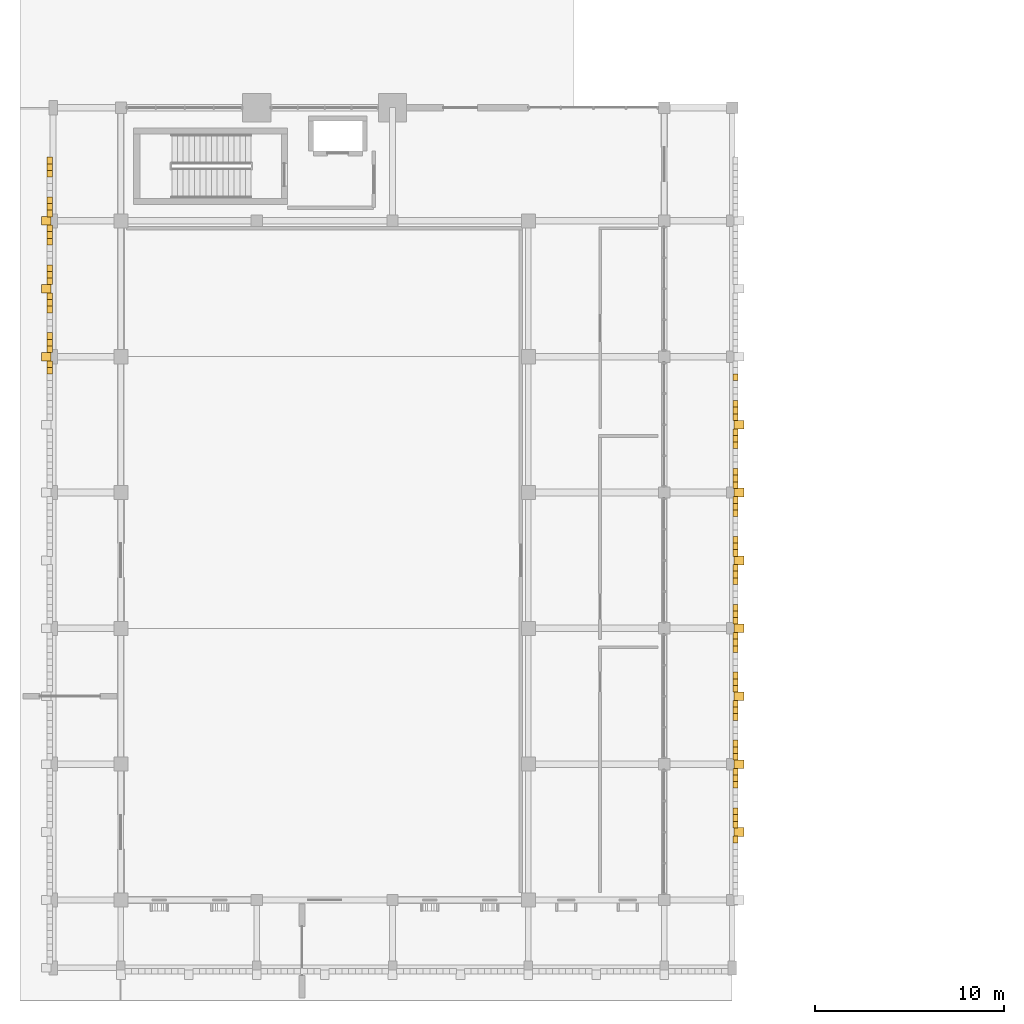
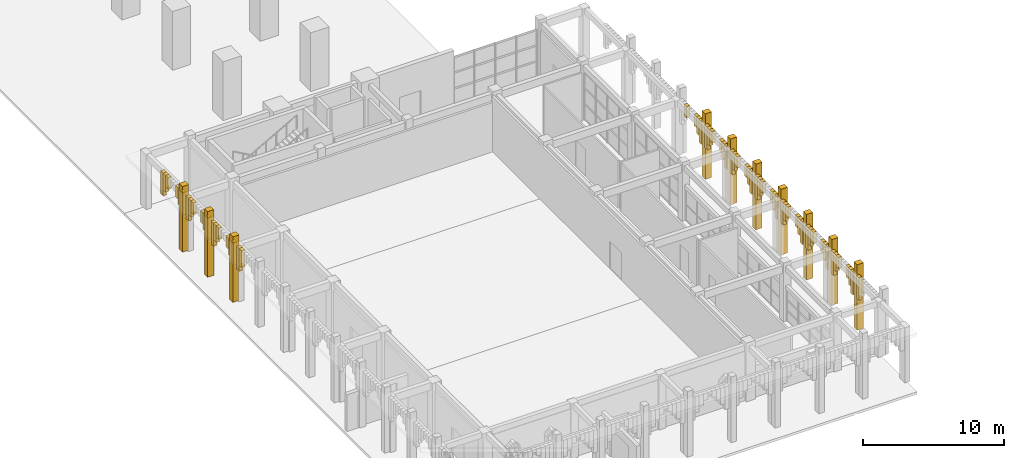
# One storey, part 48 of 72: 71 coverings.
"""IFC4 building model written with IfcOpenShell, lengths in metres."""

from ifc_helpers import new_model, si_unit, direction, frame, origin, origin_2d, place, context, subcontext, project, spatial, rectangle, extrude, material, layer, layer_set, type_object, element, save


model = new_model("IFC4")

# Units and contexts
model_context = context("Model", 3, precision=1e-05, world=origin(), true_north=direction((0.0, 1.0)))
body_context = subcontext(model_context, "Body", "Model", "MODEL_VIEW")
ifc_project = project(units=[si_unit("LENGTHUNIT", "METRE"), si_unit("AREAUNIT", "SQUARE_METRE"), si_unit("VOLUMEUNIT", "CUBIC_METRE"), si_unit("PLANEANGLEUNIT", "RADIAN"), si_unit("MASSUNIT", "GRAM", prefix="KILO")], contexts=[model_context])

# Site, building, storey
site_placement = place(None, origin())
site = spatial("IfcSite", under=ifc_project, at=site_placement, CompositionType="ELEMENT")
building_placement = place(site_placement, origin())
building = spatial("IfcBuilding", under=site, at=building_placement, Name="Nzembalo Square Collegiate School", CompositionType="ELEMENT")
storey_placement = place(building_placement, origin())
storey = spatial("IfcBuildingStorey", under=building, at=storey_placement, Name="L00", CompositionType="ELEMENT", Elevation=0.0)

# Coverings
ifc_material = material(Name="Precast concrete C40/50 arch voussoir", Category="concrete")
ifc_layer = layer(ifc_material, 0.1201171875, Name="Precast concrete C40/50 arch voussoir")
ifc_layer_set = layer_set([ifc_layer], Name="Precast concrete C40/50 arch voussoir")
covering_type = type_object("IfcCoveringType", Name="AR01", PredefinedType="CLADDING", material=ifc_layer_set)
covering_1_placement = place(storey_placement, frame((4.6201171875, 36.453369140625, 3.361328125), z_axis=(0.0, 0.0, 1.0), x_axis=(1.0, 0.0, 0.0)))
element("IfcCovering", 1, at=covering_1_placement, inside=storey, type_object=covering_type, Name="Gothic pointed arch voussoir AR01-009-7", PredefinedType="CLADDING", context=body_context, shape_type="SweptSolid", body=[
    extrude(rectangle(XDim=0.280029296875, YDim=0.35107421875, at=origin_2d()), origin(), (0.0, 0.0, 1.0), 1.438720703125),
])
covering_2_placement = place(storey_placement, frame((4.6201171875, 36.804443359375, 2.80859375), z_axis=(0.0, 0.0, 1.0), x_axis=(1.0, 0.0, 0.0)))
element("IfcCovering", 2, at=covering_2_placement, inside=storey, type_object=covering_type, Name="Gothic pointed arch voussoir AR01-009-8", PredefinedType="CLADDING", context=body_context, shape_type="SweptSolid", body=[
    extrude(rectangle(XDim=0.280029296875, YDim=0.35107421875, at=origin_2d()), origin(), (0.0, 0.0, 1.0), 1.991455078125),
])
covering_3_placement = place(storey_placement, frame((4.6201171875, 37.595703125, 2.808349609375), z_axis=(0.0, 0.0, 1.0), x_axis=(1.0, 0.0, 0.0)))
element("IfcCovering", 3, at=covering_3_placement, inside=storey, type_object=covering_type, Name="Gothic pointed arch voussoir AR01-010-0", PredefinedType="CLADDING", context=body_context, shape_type="SweptSolid", body=[
    extrude(rectangle(XDim=0.280029296875, YDim=0.35107421875, at=origin_2d()), origin(), (0.0, 0.0, 1.0), 1.99169921875),
])
covering_4_placement = place(storey_placement, frame((4.6201171875, 37.94677734375, 3.361083984375), z_axis=(0.0, 0.0, 1.0), x_axis=(1.0, 0.0, 0.0)))
element("IfcCovering", 4, at=covering_4_placement, inside=storey, type_object=covering_type, Name="Gothic pointed arch voussoir AR01-010-1", PredefinedType="CLADDING", context=body_context, shape_type="SweptSolid", body=[
    extrude(rectangle(XDim=0.280029296875, YDim=0.35107421875, at=origin_2d()), origin(), (0.0, 0.0, 1.0), 1.43896484375),
])
for number, where, z_axis, x_axis, name in (
    (5, (4.6201171875, 38.2978515625, 3.810546875), (0.0, 0.0, 1.0), (1.0, 0.0, 0.0), "Gothic pointed arch voussoir AR01-010-2"),
    (6, (4.6201171875, 39.7021484375, 3.810546875), (0.0, 0.0, 1.0), (1.0, 0.0, 0.0), "Gothic pointed arch voussoir AR01-010-6"),
):
    element("IfcCovering", number, at=place(storey_placement, frame(where, z_axis=z_axis, x_axis=x_axis)), inside=storey, type_object=covering_type, Name=name, PredefinedType="CLADDING", context=body_context, shape_type="SweptSolid", body=[
        extrude(rectangle(XDim=0.280029296875, YDim=0.35107421875, at=origin_2d()), origin(), (0.0, 0.0, 1.0), 0.989501953125),
    ])
covering_5_placement = place(storey_placement, frame((4.6201171875, 40.05322265625, 3.361328125), z_axis=(0.0, 0.0, 1.0), x_axis=(1.0, 0.0, 0.0)))
element("IfcCovering", 7, at=covering_5_placement, inside=storey, type_object=covering_type, Name="Gothic pointed arch voussoir AR01-010-7", PredefinedType="CLADDING", context=body_context, shape_type="SweptSolid", body=[
    extrude(rectangle(XDim=0.280029296875, YDim=0.35107421875, at=origin_2d()), origin(), (0.0, 0.0, 1.0), 1.438720703125),
])
covering_6_placement = place(storey_placement, frame((4.6201171875, 40.404296875, 2.80859375), z_axis=(0.0, 0.0, 1.0), x_axis=(1.0, 0.0, 0.0)))
element("IfcCovering", 8, at=covering_6_placement, inside=storey, type_object=covering_type, Name="Gothic pointed arch voussoir AR01-010-8", PredefinedType="CLADDING", context=body_context, shape_type="SweptSolid", body=[
    extrude(rectangle(XDim=0.280029296875, YDim=0.35107421875, at=origin_2d()), origin(), (0.0, 0.0, 1.0), 1.991455078125),
])
covering_7_placement = place(storey_placement, frame((4.43994140625, 37.199951171875, 0.0), z_axis=(0.0, 0.0, 1.0), x_axis=(1.0, 0.0, 0.0)))
element("IfcCovering", 9, at=covering_7_placement, inside=storey, type_object=covering_type, Name="Gothic arcade buttress pinnacle AR01-B010", PredefinedType="CLADDING", context=body_context, shape_type="SweptSolid", body=[
    extrude(rectangle(XDim=0.52001953125, YDim=0.4599609375, at=origin_2d()), origin(), (0.0, 0.0, 1.0), 5.699951171875),
])
covering_8_placement = place(storey_placement, frame((4.6201171875, 41.195556640625, 2.808349609375), z_axis=(0.0, 0.0, 1.0), x_axis=(1.0, 0.0, 0.0)))
element("IfcCovering", 10, at=covering_8_placement, inside=storey, type_object=covering_type, Name="Gothic pointed arch voussoir AR01-011-0", PredefinedType="CLADDING", context=body_context, shape_type="SweptSolid", body=[
    extrude(rectangle(XDim=0.280029296875, YDim=0.35107421875, at=origin_2d()), origin(), (0.0, 0.0, 1.0), 1.99169921875),
])
covering_9_placement = place(storey_placement, frame((4.6201171875, 41.546630859375, 3.361083984375), z_axis=(0.0, 0.0, 1.0), x_axis=(1.0, 0.0, 0.0)))
element("IfcCovering", 11, at=covering_9_placement, inside=storey, type_object=covering_type, Name="Gothic pointed arch voussoir AR01-011-1", PredefinedType="CLADDING", context=body_context, shape_type="SweptSolid", body=[
    extrude(rectangle(XDim=0.280029296875, YDim=0.35107421875, at=origin_2d()), origin(), (0.0, 0.0, 1.0), 1.43896484375),
])
for number, where, z_axis, x_axis, name in (
    (12, (4.6201171875, 41.897705078125, 3.810546875), (0.0, 0.0, 1.0), (1.0, 0.0, 0.0), "Gothic pointed arch voussoir AR01-011-2"),
    (13, (4.6201171875, 43.30224609375, 3.810546875), (0.0, 0.0, 1.0), (1.0, 0.0, 0.0), "Gothic pointed arch voussoir AR01-011-6"),
):
    element("IfcCovering", number, at=place(storey_placement, frame(where, z_axis=z_axis, x_axis=x_axis)), inside=storey, type_object=covering_type, Name=name, PredefinedType="CLADDING", context=body_context, shape_type="SweptSolid", body=[
        extrude(rectangle(XDim=0.280029296875, YDim=0.35107421875, at=origin_2d()), origin(), (0.0, 0.0, 1.0), 0.989501953125),
    ])
covering_10_placement = place(storey_placement, frame((4.6201171875, 43.6533203125, 3.361328125), z_axis=(0.0, 0.0, 1.0), x_axis=(1.0, 0.0, 0.0)))
element("IfcCovering", 14, at=covering_10_placement, inside=storey, type_object=covering_type, Name="Gothic pointed arch voussoir AR01-011-7", PredefinedType="CLADDING", context=body_context, shape_type="SweptSolid", body=[
    extrude(rectangle(XDim=0.280029296875, YDim=0.35107421875, at=origin_2d()), origin(), (0.0, 0.0, 1.0), 1.438720703125),
])
covering_11_placement = place(storey_placement, frame((4.6201171875, 44.00439453125, 2.80859375), z_axis=(0.0, 0.0, 1.0), x_axis=(1.0, 0.0, 0.0)))
element("IfcCovering", 15, at=covering_11_placement, inside=storey, type_object=covering_type, Name="Gothic pointed arch voussoir AR01-011-8", PredefinedType="CLADDING", context=body_context, shape_type="SweptSolid", body=[
    extrude(rectangle(XDim=0.280029296875, YDim=0.35107421875, at=origin_2d()), origin(), (0.0, 0.0, 1.0), 1.991455078125),
])
covering_12_placement = place(storey_placement, frame((4.43994140625, 40.800048828125, 0.0), z_axis=(0.0, 0.0, 1.0), x_axis=(1.0, 0.0, 0.0)))
element("IfcCovering", 16, at=covering_12_placement, inside=storey, type_object=covering_type, Name="Gothic arcade buttress pinnacle AR01-B011", PredefinedType="CLADDING", context=body_context, shape_type="SweptSolid", body=[
    extrude(rectangle(XDim=0.52001953125, YDim=0.4599609375, at=origin_2d()), origin(), (0.0, 0.0, 1.0), 5.699951171875),
])
covering_13_placement = place(storey_placement, frame((4.6201171875, 44.795654296875, 2.808349609375), z_axis=(0.0, 0.0, 1.0), x_axis=(1.0, 0.0, 0.0)))
element("IfcCovering", 17, at=covering_13_placement, inside=storey, type_object=covering_type, Name="Gothic pointed arch voussoir AR01-012-0", PredefinedType="CLADDING", context=body_context, shape_type="SweptSolid", body=[
    extrude(rectangle(XDim=0.280029296875, YDim=0.35107421875, at=origin_2d()), origin(), (0.0, 0.0, 1.0), 1.99169921875),
])
covering_14_placement = place(storey_placement, frame((4.6201171875, 45.146728515625, 3.361083984375), z_axis=(0.0, 0.0, 1.0), x_axis=(1.0, 0.0, 0.0)))
element("IfcCovering", 18, at=covering_14_placement, inside=storey, type_object=covering_type, Name="Gothic pointed arch voussoir AR01-012-1", PredefinedType="CLADDING", context=body_context, shape_type="SweptSolid", body=[
    extrude(rectangle(XDim=0.280029296875, YDim=0.35107421875, at=origin_2d()), origin(), (0.0, 0.0, 1.0), 1.43896484375),
])
for number, where, z_axis, x_axis, name in (
    (19, (4.6201171875, 45.497802734375, 3.810546875), (0.0, 0.0, 1.0), (1.0, 0.0, 0.0), "Gothic pointed arch voussoir AR01-012-2"),
    (20, (4.6201171875, 46.902099609375, 3.810546875), (0.0, 0.0, 1.0), (1.0, 0.0, 0.0), "Gothic pointed arch voussoir AR01-012-6"),
):
    element("IfcCovering", number, at=place(storey_placement, frame(where, z_axis=z_axis, x_axis=x_axis)), inside=storey, type_object=covering_type, Name=name, PredefinedType="CLADDING", context=body_context, shape_type="SweptSolid", body=[
        extrude(rectangle(XDim=0.280029296875, YDim=0.35107421875, at=origin_2d()), origin(), (0.0, 0.0, 1.0), 0.989501953125),
    ])
covering_15_placement = place(storey_placement, frame((4.6201171875, 47.25341796875, 3.361328125), z_axis=(0.0, 0.0, 1.0), x_axis=(1.0, 0.0, 0.0)))
element("IfcCovering", 21, at=covering_15_placement, inside=storey, type_object=covering_type, Name="Gothic pointed arch voussoir AR01-012-7", PredefinedType="CLADDING", context=body_context, shape_type="SweptSolid", body=[
    extrude(rectangle(XDim=0.280029296875, YDim=0.35107421875, at=origin_2d()), origin(), (0.0, 0.0, 1.0), 1.438720703125),
])
covering_16_placement = place(storey_placement, frame((4.6201171875, 47.6044921875, 2.80859375), z_axis=(0.0, 0.0, 1.0), x_axis=(1.0, 0.0, 0.0)))
element("IfcCovering", 22, at=covering_16_placement, inside=storey, type_object=covering_type, Name="Gothic pointed arch voussoir AR01-012-8", PredefinedType="CLADDING", context=body_context, shape_type="SweptSolid", body=[
    extrude(rectangle(XDim=0.280029296875, YDim=0.35107421875, at=origin_2d()), origin(), (0.0, 0.0, 1.0), 1.991455078125),
])
covering_17_placement = place(storey_placement, frame((4.43994140625, 44.39990234375, 0.0), z_axis=(0.0, 0.0, 1.0), x_axis=(1.0, 0.0, 0.0)))
element("IfcCovering", 23, at=covering_17_placement, inside=storey, type_object=covering_type, Name="Gothic arcade buttress pinnacle AR01-B012", PredefinedType="CLADDING", context=body_context, shape_type="SweptSolid", body=[
    extrude(rectangle(XDim=0.52001953125, YDim=0.4599609375, at=origin_2d()), origin(), (0.0, 0.0, 1.0), 5.699951171875),
])
covering_18_placement = place(storey_placement, frame((40.97998046875, 11.6044921875, 2.80859375), z_axis=(0.0, 0.0, 1.0), x_axis=(1.0, 0.0, 0.0)))
element("IfcCovering", 24, at=covering_18_placement, inside=storey, type_object=covering_type, Name="Gothic pointed arch voussoir AR01-031-8", PredefinedType="CLADDING", context=body_context, shape_type="SweptSolid", body=[
    extrude(rectangle(XDim=0.280029296875, YDim=0.35107421875, at=origin_2d()), origin(), (0.0, 0.0, 1.0), 1.991455078125),
])
covering_19_placement = place(storey_placement, frame((40.97998046875, 12.3955078125, 2.808349609375), z_axis=(0.0, 0.0, 1.0), x_axis=(1.0, 0.0, 0.0)))
element("IfcCovering", 25, at=covering_19_placement, inside=storey, type_object=covering_type, Name="Gothic pointed arch voussoir AR01-032-0", PredefinedType="CLADDING", context=body_context, shape_type="SweptSolid", body=[
    extrude(rectangle(XDim=0.280029296875, YDim=0.35107421875, at=origin_2d()), origin(), (0.0, 0.0, 1.0), 1.99169921875),
])
covering_20_placement = place(storey_placement, frame((40.97998046875, 12.74658203125, 3.361083984375), z_axis=(0.0, 0.0, 1.0), x_axis=(1.0, 0.0, 0.0)))
element("IfcCovering", 26, at=covering_20_placement, inside=storey, type_object=covering_type, Name="Gothic pointed arch voussoir AR01-032-1", PredefinedType="CLADDING", context=body_context, shape_type="SweptSolid", body=[
    extrude(rectangle(XDim=0.280029296875, YDim=0.35107421875, at=origin_2d()), origin(), (0.0, 0.0, 1.0), 1.43896484375),
])
for number, where, z_axis, x_axis, name in (
    (27, (40.97998046875, 13.097900390625, 3.810546875), (0.0, 0.0, 1.0), (1.0, 0.0, 0.0), "Gothic pointed arch voussoir AR01-032-2"),
    (28, (40.97998046875, 14.502197265625, 3.810546875), (0.0, 0.0, 1.0), (1.0, 0.0, 0.0), "Gothic pointed arch voussoir AR01-032-6"),
):
    element("IfcCovering", number, at=place(storey_placement, frame(where, z_axis=z_axis, x_axis=x_axis)), inside=storey, type_object=covering_type, Name=name, PredefinedType="CLADDING", context=body_context, shape_type="SweptSolid", body=[
        extrude(rectangle(XDim=0.280029296875, YDim=0.35107421875, at=origin_2d()), origin(), (0.0, 0.0, 1.0), 0.989501953125),
    ])
covering_21_placement = place(storey_placement, frame((40.97998046875, 14.853271484375, 3.361328125), z_axis=(0.0, 0.0, 1.0), x_axis=(1.0, 0.0, 0.0)))
element("IfcCovering", 29, at=covering_21_placement, inside=storey, type_object=covering_type, Name="Gothic pointed arch voussoir AR01-032-7", PredefinedType="CLADDING", context=body_context, shape_type="SweptSolid", body=[
    extrude(rectangle(XDim=0.280029296875, YDim=0.35107421875, at=origin_2d()), origin(), (0.0, 0.0, 1.0), 1.438720703125),
])
covering_22_placement = place(storey_placement, frame((40.97998046875, 15.204345703125, 2.80859375), z_axis=(0.0, 0.0, 1.0), x_axis=(1.0, 0.0, 0.0)))
element("IfcCovering", 30, at=covering_22_placement, inside=storey, type_object=covering_type, Name="Gothic pointed arch voussoir AR01-032-8", PredefinedType="CLADDING", context=body_context, shape_type="SweptSolid", body=[
    extrude(rectangle(XDim=0.280029296875, YDim=0.35107421875, at=origin_2d()), origin(), (0.0, 0.0, 1.0), 1.991455078125),
])
covering_23_placement = place(storey_placement, frame((41.159912109375, 12.0, 0.0), z_axis=(0.0, 0.0, 1.0), x_axis=(1.0, 0.0, 0.0)))
element("IfcCovering", 31, at=covering_23_placement, inside=storey, type_object=covering_type, Name="Gothic arcade buttress pinnacle AR01-B032", PredefinedType="CLADDING", context=body_context, shape_type="SweptSolid", body=[
    extrude(rectangle(XDim=0.52001953125, YDim=0.4599609375, at=origin_2d()), origin(), (0.0, 0.0, 1.0), 5.699951171875),
])
covering_24_placement = place(storey_placement, frame((40.97998046875, 15.99560546875, 2.808349609375), z_axis=(0.0, 0.0, 1.0), x_axis=(1.0, 0.0, 0.0)))
element("IfcCovering", 32, at=covering_24_placement, inside=storey, type_object=covering_type, Name="Gothic pointed arch voussoir AR01-033-0", PredefinedType="CLADDING", context=body_context, shape_type="SweptSolid", body=[
    extrude(rectangle(XDim=0.280029296875, YDim=0.35107421875, at=origin_2d()), origin(), (0.0, 0.0, 1.0), 1.99169921875),
])
covering_25_placement = place(storey_placement, frame((40.97998046875, 16.3466796875, 3.361083984375), z_axis=(0.0, 0.0, 1.0), x_axis=(1.0, 0.0, 0.0)))
element("IfcCovering", 33, at=covering_25_placement, inside=storey, type_object=covering_type, Name="Gothic pointed arch voussoir AR01-033-1", PredefinedType="CLADDING", context=body_context, shape_type="SweptSolid", body=[
    extrude(rectangle(XDim=0.280029296875, YDim=0.35107421875, at=origin_2d()), origin(), (0.0, 0.0, 1.0), 1.43896484375),
])
for number, where, z_axis, x_axis, name in (
    (34, (40.97998046875, 16.69775390625, 3.810546875), (0.0, 0.0, 1.0), (1.0, 0.0, 0.0), "Gothic pointed arch voussoir AR01-033-2"),
    (35, (40.97998046875, 18.102294921875, 3.810546875), (0.0, 0.0, 1.0), (1.0, 0.0, 0.0), "Gothic pointed arch voussoir AR01-033-6"),
):
    element("IfcCovering", number, at=place(storey_placement, frame(where, z_axis=z_axis, x_axis=x_axis)), inside=storey, type_object=covering_type, Name=name, PredefinedType="CLADDING", context=body_context, shape_type="SweptSolid", body=[
        extrude(rectangle(XDim=0.280029296875, YDim=0.35107421875, at=origin_2d()), origin(), (0.0, 0.0, 1.0), 0.989501953125),
    ])
covering_26_placement = place(storey_placement, frame((40.97998046875, 18.453369140625, 3.361328125), z_axis=(0.0, 0.0, 1.0), x_axis=(1.0, 0.0, 0.0)))
element("IfcCovering", 36, at=covering_26_placement, inside=storey, type_object=covering_type, Name="Gothic pointed arch voussoir AR01-033-7", PredefinedType="CLADDING", context=body_context, shape_type="SweptSolid", body=[
    extrude(rectangle(XDim=0.280029296875, YDim=0.35107421875, at=origin_2d()), origin(), (0.0, 0.0, 1.0), 1.438720703125),
])
covering_27_placement = place(storey_placement, frame((40.97998046875, 18.804443359375, 2.80859375), z_axis=(0.0, 0.0, 1.0), x_axis=(1.0, 0.0, 0.0)))
element("IfcCovering", 37, at=covering_27_placement, inside=storey, type_object=covering_type, Name="Gothic pointed arch voussoir AR01-033-8", PredefinedType="CLADDING", context=body_context, shape_type="SweptSolid", body=[
    extrude(rectangle(XDim=0.280029296875, YDim=0.35107421875, at=origin_2d()), origin(), (0.0, 0.0, 1.0), 1.991455078125),
])
covering_28_placement = place(storey_placement, frame((41.159912109375, 15.60009765625, 0.0), z_axis=(0.0, 0.0, 1.0), x_axis=(1.0, 0.0, 0.0)))
element("IfcCovering", 38, at=covering_28_placement, inside=storey, type_object=covering_type, Name="Gothic arcade buttress pinnacle AR01-B033", PredefinedType="CLADDING", context=body_context, shape_type="SweptSolid", body=[
    extrude(rectangle(XDim=0.52001953125, YDim=0.4599609375, at=origin_2d()), origin(), (0.0, 0.0, 1.0), 5.699951171875),
])
covering_29_placement = place(storey_placement, frame((40.97998046875, 19.595703125, 2.808349609375), z_axis=(0.0, 0.0, 1.0), x_axis=(1.0, 0.0, 0.0)))
element("IfcCovering", 39, at=covering_29_placement, inside=storey, type_object=covering_type, Name="Gothic pointed arch voussoir AR01-034-0", PredefinedType="CLADDING", context=body_context, shape_type="SweptSolid", body=[
    extrude(rectangle(XDim=0.280029296875, YDim=0.35107421875, at=origin_2d()), origin(), (0.0, 0.0, 1.0), 1.99169921875),
])
covering_30_placement = place(storey_placement, frame((40.97998046875, 19.94677734375, 3.361083984375), z_axis=(0.0, 0.0, 1.0), x_axis=(1.0, 0.0, 0.0)))
element("IfcCovering", 40, at=covering_30_placement, inside=storey, type_object=covering_type, Name="Gothic pointed arch voussoir AR01-034-1", PredefinedType="CLADDING", context=body_context, shape_type="SweptSolid", body=[
    extrude(rectangle(XDim=0.280029296875, YDim=0.35107421875, at=origin_2d()), origin(), (0.0, 0.0, 1.0), 1.43896484375),
])
for number, where, z_axis, x_axis, name in (
    (41, (40.97998046875, 20.2978515625, 3.810546875), (0.0, 0.0, 1.0), (1.0, 0.0, 0.0), "Gothic pointed arch voussoir AR01-034-2"),
    (42, (40.97998046875, 21.7021484375, 3.810546875), (0.0, 0.0, 1.0), (1.0, 0.0, 0.0), "Gothic pointed arch voussoir AR01-034-6"),
):
    element("IfcCovering", number, at=place(storey_placement, frame(where, z_axis=z_axis, x_axis=x_axis)), inside=storey, type_object=covering_type, Name=name, PredefinedType="CLADDING", context=body_context, shape_type="SweptSolid", body=[
        extrude(rectangle(XDim=0.280029296875, YDim=0.35107421875, at=origin_2d()), origin(), (0.0, 0.0, 1.0), 0.989501953125),
    ])
covering_31_placement = place(storey_placement, frame((40.97998046875, 22.05322265625, 3.361328125), z_axis=(0.0, 0.0, 1.0), x_axis=(1.0, 0.0, 0.0)))
element("IfcCovering", 43, at=covering_31_placement, inside=storey, type_object=covering_type, Name="Gothic pointed arch voussoir AR01-034-7", PredefinedType="CLADDING", context=body_context, shape_type="SweptSolid", body=[
    extrude(rectangle(XDim=0.280029296875, YDim=0.35107421875, at=origin_2d()), origin(), (0.0, 0.0, 1.0), 1.438720703125),
])
covering_32_placement = place(storey_placement, frame((40.97998046875, 22.404296875, 2.80859375), z_axis=(0.0, 0.0, 1.0), x_axis=(1.0, 0.0, 0.0)))
element("IfcCovering", 44, at=covering_32_placement, inside=storey, type_object=covering_type, Name="Gothic pointed arch voussoir AR01-034-8", PredefinedType="CLADDING", context=body_context, shape_type="SweptSolid", body=[
    extrude(rectangle(XDim=0.280029296875, YDim=0.35107421875, at=origin_2d()), origin(), (0.0, 0.0, 1.0), 1.991455078125),
])
covering_33_placement = place(storey_placement, frame((41.159912109375, 19.199951171875, 0.0), z_axis=(0.0, 0.0, 1.0), x_axis=(1.0, 0.0, 0.0)))
element("IfcCovering", 45, at=covering_33_placement, inside=storey, type_object=covering_type, Name="Gothic arcade buttress pinnacle AR01-B034", PredefinedType="CLADDING", context=body_context, shape_type="SweptSolid", body=[
    extrude(rectangle(XDim=0.52001953125, YDim=0.4599609375, at=origin_2d()), origin(), (0.0, 0.0, 1.0), 5.699951171875),
])
covering_34_placement = place(storey_placement, frame((40.97998046875, 23.195556640625, 2.808349609375), z_axis=(0.0, 0.0, 1.0), x_axis=(1.0, 0.0, 0.0)))
element("IfcCovering", 46, at=covering_34_placement, inside=storey, type_object=covering_type, Name="Gothic pointed arch voussoir AR01-035-0", PredefinedType="CLADDING", context=body_context, shape_type="SweptSolid", body=[
    extrude(rectangle(XDim=0.280029296875, YDim=0.35107421875, at=origin_2d()), origin(), (0.0, 0.0, 1.0), 1.99169921875),
])
covering_35_placement = place(storey_placement, frame((40.97998046875, 23.546630859375, 3.361083984375), z_axis=(0.0, 0.0, 1.0), x_axis=(1.0, 0.0, 0.0)))
element("IfcCovering", 47, at=covering_35_placement, inside=storey, type_object=covering_type, Name="Gothic pointed arch voussoir AR01-035-1", PredefinedType="CLADDING", context=body_context, shape_type="SweptSolid", body=[
    extrude(rectangle(XDim=0.280029296875, YDim=0.35107421875, at=origin_2d()), origin(), (0.0, 0.0, 1.0), 1.43896484375),
])
for number, where, z_axis, x_axis, name in (
    (48, (40.97998046875, 23.897705078125, 3.810546875), (0.0, 0.0, 1.0), (1.0, 0.0, 0.0), "Gothic pointed arch voussoir AR01-035-2"),
    (49, (40.97998046875, 25.30224609375, 3.810546875), (0.0, 0.0, 1.0), (1.0, 0.0, 0.0), "Gothic pointed arch voussoir AR01-035-6"),
):
    element("IfcCovering", number, at=place(storey_placement, frame(where, z_axis=z_axis, x_axis=x_axis)), inside=storey, type_object=covering_type, Name=name, PredefinedType="CLADDING", context=body_context, shape_type="SweptSolid", body=[
        extrude(rectangle(XDim=0.280029296875, YDim=0.35107421875, at=origin_2d()), origin(), (0.0, 0.0, 1.0), 0.989501953125),
    ])
covering_36_placement = place(storey_placement, frame((40.97998046875, 25.6533203125, 3.361328125), z_axis=(0.0, 0.0, 1.0), x_axis=(1.0, 0.0, 0.0)))
element("IfcCovering", 50, at=covering_36_placement, inside=storey, type_object=covering_type, Name="Gothic pointed arch voussoir AR01-035-7", PredefinedType="CLADDING", context=body_context, shape_type="SweptSolid", body=[
    extrude(rectangle(XDim=0.280029296875, YDim=0.35107421875, at=origin_2d()), origin(), (0.0, 0.0, 1.0), 1.438720703125),
])
covering_37_placement = place(storey_placement, frame((40.97998046875, 26.00439453125, 2.80859375), z_axis=(0.0, 0.0, 1.0), x_axis=(1.0, 0.0, 0.0)))
element("IfcCovering", 51, at=covering_37_placement, inside=storey, type_object=covering_type, Name="Gothic pointed arch voussoir AR01-035-8", PredefinedType="CLADDING", context=body_context, shape_type="SweptSolid", body=[
    extrude(rectangle(XDim=0.280029296875, YDim=0.35107421875, at=origin_2d()), origin(), (0.0, 0.0, 1.0), 1.991455078125),
])
covering_38_placement = place(storey_placement, frame((41.159912109375, 22.800048828125, 0.0), z_axis=(0.0, 0.0, 1.0), x_axis=(1.0, 0.0, 0.0)))
element("IfcCovering", 52, at=covering_38_placement, inside=storey, type_object=covering_type, Name="Gothic arcade buttress pinnacle AR01-B035", PredefinedType="CLADDING", context=body_context, shape_type="SweptSolid", body=[
    extrude(rectangle(XDim=0.52001953125, YDim=0.4599609375, at=origin_2d()), origin(), (0.0, 0.0, 1.0), 5.699951171875),
])
covering_39_placement = place(storey_placement, frame((40.97998046875, 26.795654296875, 2.808349609375), z_axis=(0.0, 0.0, 1.0), x_axis=(1.0, 0.0, 0.0)))
element("IfcCovering", 53, at=covering_39_placement, inside=storey, type_object=covering_type, Name="Gothic pointed arch voussoir AR01-036-0", PredefinedType="CLADDING", context=body_context, shape_type="SweptSolid", body=[
    extrude(rectangle(XDim=0.280029296875, YDim=0.35107421875, at=origin_2d()), origin(), (0.0, 0.0, 1.0), 1.99169921875),
])
covering_40_placement = place(storey_placement, frame((40.97998046875, 27.146728515625, 3.361083984375), z_axis=(0.0, 0.0, 1.0), x_axis=(1.0, 0.0, 0.0)))
element("IfcCovering", 54, at=covering_40_placement, inside=storey, type_object=covering_type, Name="Gothic pointed arch voussoir AR01-036-1", PredefinedType="CLADDING", context=body_context, shape_type="SweptSolid", body=[
    extrude(rectangle(XDim=0.280029296875, YDim=0.35107421875, at=origin_2d()), origin(), (0.0, 0.0, 1.0), 1.43896484375),
])
for number, where, z_axis, x_axis, name in (
    (55, (40.97998046875, 27.497802734375, 3.810546875), (0.0, 0.0, 1.0), (1.0, 0.0, 0.0), "Gothic pointed arch voussoir AR01-036-2"),
    (56, (40.97998046875, 28.902099609375, 3.810546875), (0.0, 0.0, 1.0), (1.0, 0.0, 0.0), "Gothic pointed arch voussoir AR01-036-6"),
):
    element("IfcCovering", number, at=place(storey_placement, frame(where, z_axis=z_axis, x_axis=x_axis)), inside=storey, type_object=covering_type, Name=name, PredefinedType="CLADDING", context=body_context, shape_type="SweptSolid", body=[
        extrude(rectangle(XDim=0.280029296875, YDim=0.35107421875, at=origin_2d()), origin(), (0.0, 0.0, 1.0), 0.989501953125),
    ])
covering_41_placement = place(storey_placement, frame((40.97998046875, 29.25341796875, 3.361328125), z_axis=(0.0, 0.0, 1.0), x_axis=(1.0, 0.0, 0.0)))
element("IfcCovering", 57, at=covering_41_placement, inside=storey, type_object=covering_type, Name="Gothic pointed arch voussoir AR01-036-7", PredefinedType="CLADDING", context=body_context, shape_type="SweptSolid", body=[
    extrude(rectangle(XDim=0.280029296875, YDim=0.35107421875, at=origin_2d()), origin(), (0.0, 0.0, 1.0), 1.438720703125),
])
covering_42_placement = place(storey_placement, frame((40.97998046875, 29.6044921875, 2.80859375), z_axis=(0.0, 0.0, 1.0), x_axis=(1.0, 0.0, 0.0)))
element("IfcCovering", 58, at=covering_42_placement, inside=storey, type_object=covering_type, Name="Gothic pointed arch voussoir AR01-036-8", PredefinedType="CLADDING", context=body_context, shape_type="SweptSolid", body=[
    extrude(rectangle(XDim=0.280029296875, YDim=0.35107421875, at=origin_2d()), origin(), (0.0, 0.0, 1.0), 1.991455078125),
])
covering_43_placement = place(storey_placement, frame((41.159912109375, 26.39990234375, 0.0), z_axis=(0.0, 0.0, 1.0), x_axis=(1.0, 0.0, 0.0)))
element("IfcCovering", 59, at=covering_43_placement, inside=storey, type_object=covering_type, Name="Gothic arcade buttress pinnacle AR01-B036", PredefinedType="CLADDING", context=body_context, shape_type="SweptSolid", body=[
    extrude(rectangle(XDim=0.52001953125, YDim=0.4599609375, at=origin_2d()), origin(), (0.0, 0.0, 1.0), 5.699951171875),
])
covering_44_placement = place(storey_placement, frame((40.97998046875, 30.3955078125, 2.808349609375), z_axis=(0.0, 0.0, 1.0), x_axis=(1.0, 0.0, 0.0)))
element("IfcCovering", 60, at=covering_44_placement, inside=storey, type_object=covering_type, Name="Gothic pointed arch voussoir AR01-037-0", PredefinedType="CLADDING", context=body_context, shape_type="SweptSolid", body=[
    extrude(rectangle(XDim=0.280029296875, YDim=0.35107421875, at=origin_2d()), origin(), (0.0, 0.0, 1.0), 1.99169921875),
])
covering_45_placement = place(storey_placement, frame((40.97998046875, 30.74658203125, 3.361083984375), z_axis=(0.0, 0.0, 1.0), x_axis=(1.0, 0.0, 0.0)))
element("IfcCovering", 61, at=covering_45_placement, inside=storey, type_object=covering_type, Name="Gothic pointed arch voussoir AR01-037-1", PredefinedType="CLADDING", context=body_context, shape_type="SweptSolid", body=[
    extrude(rectangle(XDim=0.280029296875, YDim=0.35107421875, at=origin_2d()), origin(), (0.0, 0.0, 1.0), 1.43896484375),
])
for number, where, z_axis, x_axis, name in (
    (62, (40.97998046875, 31.097900390625, 3.810546875), (0.0, 0.0, 1.0), (1.0, 0.0, 0.0), "Gothic pointed arch voussoir AR01-037-2"),
    (63, (40.97998046875, 32.502197265625, 3.810546875), (0.0, 0.0, 1.0), (1.0, 0.0, 0.0), "Gothic pointed arch voussoir AR01-037-6"),
):
    element("IfcCovering", number, at=place(storey_placement, frame(where, z_axis=z_axis, x_axis=x_axis)), inside=storey, type_object=covering_type, Name=name, PredefinedType="CLADDING", context=body_context, shape_type="SweptSolid", body=[
        extrude(rectangle(XDim=0.280029296875, YDim=0.35107421875, at=origin_2d()), origin(), (0.0, 0.0, 1.0), 0.989501953125),
    ])
covering_46_placement = place(storey_placement, frame((40.97998046875, 32.853271484375, 3.361328125), z_axis=(0.0, 0.0, 1.0), x_axis=(1.0, 0.0, 0.0)))
element("IfcCovering", 64, at=covering_46_placement, inside=storey, type_object=covering_type, Name="Gothic pointed arch voussoir AR01-037-7", PredefinedType="CLADDING", context=body_context, shape_type="SweptSolid", body=[
    extrude(rectangle(XDim=0.280029296875, YDim=0.35107421875, at=origin_2d()), origin(), (0.0, 0.0, 1.0), 1.438720703125),
])
covering_47_placement = place(storey_placement, frame((40.97998046875, 33.204345703125, 2.80859375), z_axis=(0.0, 0.0, 1.0), x_axis=(1.0, 0.0, 0.0)))
element("IfcCovering", 65, at=covering_47_placement, inside=storey, type_object=covering_type, Name="Gothic pointed arch voussoir AR01-037-8", PredefinedType="CLADDING", context=body_context, shape_type="SweptSolid", body=[
    extrude(rectangle(XDim=0.280029296875, YDim=0.35107421875, at=origin_2d()), origin(), (0.0, 0.0, 1.0), 1.991455078125),
])
covering_48_placement = place(storey_placement, frame((41.159912109375, 30.0, 0.0), z_axis=(0.0, 0.0, 1.0), x_axis=(1.0, 0.0, 0.0)))
element("IfcCovering", 66, at=covering_48_placement, inside=storey, type_object=covering_type, Name="Gothic arcade buttress pinnacle AR01-B037", PredefinedType="CLADDING", context=body_context, shape_type="SweptSolid", body=[
    extrude(rectangle(XDim=0.52001953125, YDim=0.4599609375, at=origin_2d()), origin(), (0.0, 0.0, 1.0), 5.699951171875),
])
covering_49_placement = place(storey_placement, frame((40.97998046875, 33.99560546875, 2.808349609375), z_axis=(0.0, 0.0, 1.0), x_axis=(1.0, 0.0, 0.0)))
element("IfcCovering", 67, at=covering_49_placement, inside=storey, type_object=covering_type, Name="Gothic pointed arch voussoir AR01-038-0", PredefinedType="CLADDING", context=body_context, shape_type="SweptSolid", body=[
    extrude(rectangle(XDim=0.280029296875, YDim=0.35107421875, at=origin_2d()), origin(), (0.0, 0.0, 1.0), 1.99169921875),
])
covering_50_placement = place(storey_placement, frame((40.97998046875, 34.3466796875, 3.361083984375), z_axis=(0.0, 0.0, 1.0), x_axis=(1.0, 0.0, 0.0)))
element("IfcCovering", 68, at=covering_50_placement, inside=storey, type_object=covering_type, Name="Gothic pointed arch voussoir AR01-038-1", PredefinedType="CLADDING", context=body_context, shape_type="SweptSolid", body=[
    extrude(rectangle(XDim=0.280029296875, YDim=0.35107421875, at=origin_2d()), origin(), (0.0, 0.0, 1.0), 1.43896484375),
])
for number, where, z_axis, x_axis, name in (
    (69, (40.97998046875, 34.69775390625, 3.810546875), (0.0, 0.0, 1.0), (1.0, 0.0, 0.0), "Gothic pointed arch voussoir AR01-038-2"),
    (70, (40.97998046875, 36.102294921875, 3.810546875), (0.0, 0.0, 1.0), (1.0, 0.0, 0.0), "Gothic pointed arch voussoir AR01-038-6"),
):
    element("IfcCovering", number, at=place(storey_placement, frame(where, z_axis=z_axis, x_axis=x_axis)), inside=storey, type_object=covering_type, Name=name, PredefinedType="CLADDING", context=body_context, shape_type="SweptSolid", body=[
        extrude(rectangle(XDim=0.280029296875, YDim=0.35107421875, at=origin_2d()), origin(), (0.0, 0.0, 1.0), 0.989501953125),
    ])
covering_51_placement = place(storey_placement, frame((41.159912109375, 33.60009765625, 0.0), z_axis=(0.0, 0.0, 1.0), x_axis=(1.0, 0.0, 0.0)))
element("IfcCovering", 71, at=covering_51_placement, inside=storey, type_object=covering_type, Name="Gothic arcade buttress pinnacle AR01-B038", PredefinedType="CLADDING", context=body_context, shape_type="SweptSolid", body=[
    extrude(rectangle(XDim=0.52001953125, YDim=0.4599609375, at=origin_2d()), origin(), (0.0, 0.0, 1.0), 5.699951171875),
])

save(model, "model.ifc")
